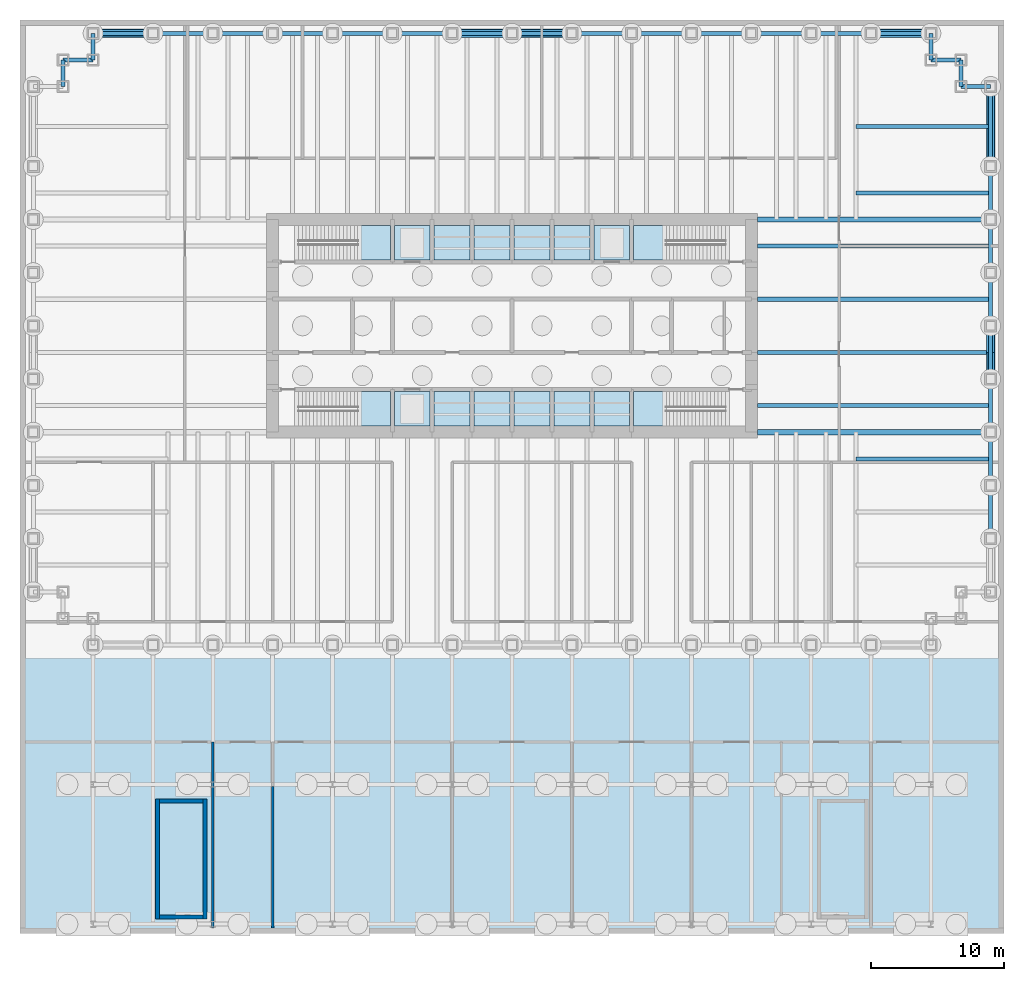
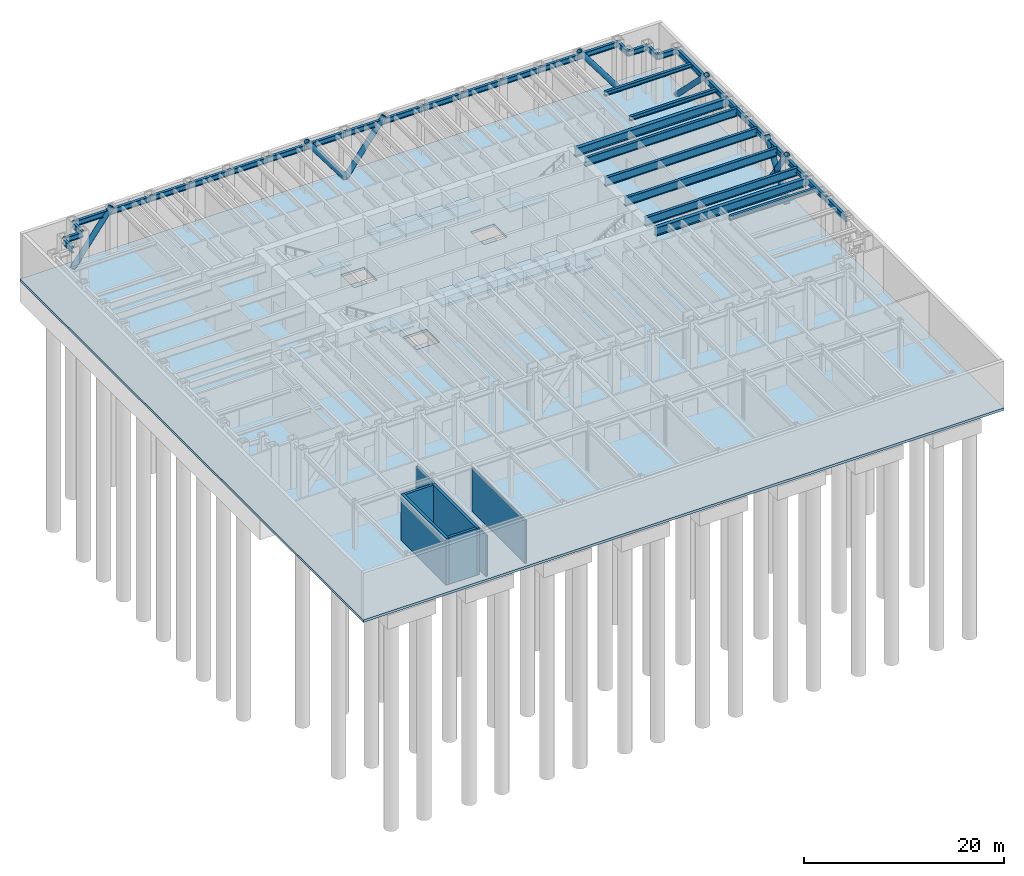
# One storey, part 3 of 9: 38 beams, 17 slabs, 7 members, 6 walls, 4 elements without a shape of their own.
"""IFC4 building model written with IfcOpenShell, lengths in metres."""

import ifcopenshell
import ifcopenshell.guid

model = None  # the IFC model being written
_history = None  # IfcOwnerHistory: only IFC2X3 demands one
_inside = {}  # id of a spatial element -> (the spatial element, [elements in it])
_under = {}  # id of a project, library or spatial element -> (it, [spatial elements below it])
_declared = {}  # id of a project -> (the project, [libraries it declares])
_typed = {}  # id of a type object -> (the type object, [elements of that type])
_made_of = {}  # id of a material, layer set ... -> (it, [elements and type objects made of it])


def new_model(schema):
    """Start an empty IFC model of exactly this schema.

    Asked for "IFC4X3", IfcOpenShell would pick the latest addendum, in which some entities
    have other attributes; the version numbers below select the first issue.
    IFC2X3 requires an IfcOwnerHistory on every rooted entity: one is made here for all.
    """
    global model, _history
    if schema == "IFC4X3":
        model = ifcopenshell.file(schema_version=(4, 3, 0, 0))
    else:
        model = ifcopenshell.file(schema=schema)
    _inside.clear()
    _under.clear()
    _declared.clear()
    _typed.clear()
    _made_of.clear()
    _history = None
    if model.schema == "IFC2X3":
        org = make("IfcOrganization", Name="unknown")
        user = make(
            "IfcPersonAndOrganization",
            ThePerson=make("IfcPerson", FamilyName="unknown"),
            TheOrganization=org,
        )
        app = make(
            "IfcApplication",
            ApplicationDeveloper=org,
            Version="unknown",
            ApplicationFullName="unknown",
            ApplicationIdentifier="unknown",
        )
        _history = make(
            "IfcOwnerHistory",
            OwningUser=user,
            OwningApplication=app,
            ChangeAction="ADDED",
            CreationDate=0,
        )
    return model


def make(cls, **values):
    """One entity of the class cls with the attributes given. An attribute that is None is left unset."""
    return model.create_entity(
        cls, **{name: value for name, value in values.items() if value is not None}
    )


def rooted(cls, **values):
    """An entity with a GlobalId (a new one), such as an element, a storey or a relation."""
    return make(cls, GlobalId=ifcopenshell.guid.new(), OwnerHistory=_history, **values)


def si_unit(unit_type, name, prefix=None):
    """IfcSIUnit, for example si_unit("LENGTHUNIT", "METRE", prefix="MILLI")."""
    return make("IfcSIUnit", UnitType=unit_type, Prefix=prefix, Name=name)


def assignment(units):
    """IfcUnitAssignment: the units of a project."""
    return None if units is None else make("IfcUnitAssignment", Units=units)


def point(xyz):
    """IfcCartesianPoint."""
    return None if xyz is None else make("IfcCartesianPoint", Coordinates=xyz)


def direction(xyz):
    """IfcDirection."""
    return None if xyz is None else make("IfcDirection", DirectionRatios=xyz)


def frame(location, z_axis=None, x_axis=None):
    """IfcAxis2Placement3D, a coordinate frame: its origin and axes. An axis left out is left unset."""
    return make(
        "IfcAxis2Placement3D",
        Location=point(location),
        Axis=direction(z_axis),
        RefDirection=direction(x_axis),
    )


def frame_2d(location, x_axis=None):
    """IfcAxis2Placement2D, a coordinate frame in the plane: its origin and x axis."""
    return make(
        "IfcAxis2Placement2D", Location=point(location), RefDirection=direction(x_axis)
    )


def origin():
    """The frame at (0, 0, 0) with its axes left unset."""
    return frame((0.0, 0.0, 0.0))


def origin_2d():
    """The frame at (0, 0) in the plane with its x axis left unset."""
    return frame_2d((0.0, 0.0))


def place(relative_to, where):
    """IfcLocalPlacement: puts the frame where relative to a parent placement (None: the world)."""
    return make(
        "IfcLocalPlacement", PlacementRelTo=relative_to, RelativePlacement=where
    )


def context(
    kind, dimensions, precision=None, world=None, true_north=None, identifier=None
):
    """IfcGeometricRepresentationContext, for example the 3D "Model" context."""
    return make(
        "IfcGeometricRepresentationContext",
        ContextIdentifier=identifier,
        ContextType=kind,
        CoordinateSpaceDimension=dimensions,
        Precision=precision,
        WorldCoordinateSystem=world,
        TrueNorth=true_north,
    )


def subcontext(parent, identifier, kind, view, scale=None):
    """IfcGeometricRepresentationSubContext, for example "Body" below "Model"."""
    return make(
        "IfcGeometricRepresentationSubContext",
        ContextIdentifier=identifier,
        ContextType=kind,
        ParentContext=parent,
        TargetScale=scale,
        TargetView=view,
    )


def project(units=None, contexts=None):
    """IfcProject with its units and contexts."""
    return rooted(
        "IfcProject",
        Name="project",
        RepresentationContexts=contexts,
        UnitsInContext=assignment(units),
    )


def spatial(cls, under=None, at=None, **own):
    """A site, building, storey or space (cls), placed at a placement, below another one or the project."""
    s = rooted(cls, ObjectPlacement=at, **own)
    if under is not None:
        _under.setdefault(under.id(), (under, []))[1].append(s)
    return s


def polyline(points):
    """IfcPolyline through the points."""
    return make("IfcPolyline", Points=[point(p) for p in points])


def profile(cls, at=None, kind="AREA", **sizes):
    """A parametric profile (cls). Its sizes go by their IFC names, for example OverallWidth=200.0."""
    return make(cls, ProfileType=kind, Position=at, **sizes)


def rectangle(**sizes):
    """IfcRectangleProfileDef."""
    return profile("IfcRectangleProfileDef", **sizes)


def hollow_circle(**sizes):
    """IfcCircleHollowProfileDef."""
    return profile("IfcCircleHollowProfileDef", **sizes)


def i_section(**sizes):
    """IfcIShapeProfileDef."""
    return profile("IfcIShapeProfileDef", **sizes)


def outline(outer, holes=None, kind="AREA"):
    """IfcArbitraryClosedProfileDef: a profile drawn as a closed curve; with holes, ...WithVoids."""
    if holes is None:
        return make("IfcArbitraryClosedProfileDef", ProfileType=kind, OuterCurve=outer)
    return make(
        "IfcArbitraryProfileDefWithVoids",
        ProfileType=kind,
        OuterCurve=outer,
        InnerCurves=holes,
    )


def extrude(swept, where, along, depth):
    """IfcExtrudedAreaSolid: the profile swept, set in the frame where, extruded along a direction by depth."""
    return make(
        "IfcExtrudedAreaSolid",
        SweptArea=swept,
        Position=where,
        ExtrudedDirection=direction(along),
        Depth=depth,
    )


def shape(context_of_items, identifier, shape_type, items):
    """IfcShapeRepresentation: the items that make up one representation, for example the "Body"."""
    return make(
        "IfcShapeRepresentation",
        ContextOfItems=context_of_items,
        RepresentationIdentifier=identifier,
        RepresentationType=shape_type,
        Items=items,
    )


def material(Name=None, Category=None):
    """IfcMaterial."""
    return make("IfcMaterial", Name=Name, Category=Category)


def layer(
    of_material, thickness, ventilated=None, Name=None, Category=None, Priority=None
):
    """IfcMaterialLayer: one layer of a wall or slab, of a material (None: an air gap)."""
    return make(
        "IfcMaterialLayer",
        Material=of_material,
        LayerThickness=thickness,
        IsVentilated=ventilated,
        Name=Name,
        Category=Category,
        Priority=Priority,
    )


def layer_set(layers, Name=None):
    """IfcMaterialLayerSet."""
    return make("IfcMaterialLayerSet", MaterialLayers=layers, LayerSetName=Name)


def material_profile(
    of_material, cross_section, Name=None, Category=None, Priority=None
):
    """IfcMaterialProfile: a cross section and its material."""
    return make(
        "IfcMaterialProfile",
        Name=Name,
        Material=of_material,
        Profile=cross_section,
        Priority=Priority,
        Category=Category,
    )


def profile_set(profiles, Name=None, composite=None):
    """IfcMaterialProfileSet."""
    return make(
        "IfcMaterialProfileSet",
        Name=Name,
        MaterialProfiles=profiles,
        CompositeProfile=composite,
    )


def made_of(thing, what):
    """Note that an element or type object is made of a material, layer set ...; save() writes the relation."""
    if what is not None:
        _made_of.setdefault(what.id(), (what, []))[1].append(thing)
    return thing


def type_object(cls, material=None, **own):
    """A type object (cls), such as IfcWallType, which elements share."""
    return made_of(rooted(cls, **own), material)


def element(
    cls,
    number,
    at=None,
    inside=None,
    cuts=None,
    type_object=None,
    material=None,
    context=None,
    identifier="Body",
    shape_type=None,
    held_by="IfcProductDefinitionShape",
    body=None,
    shapes=None,
    **own,
):
    """One element of the class cls, such as IfcWall. Its Tag is "e" and its number.

    at: its placement. inside: the storey or other place that contains it. cuts: it is an
    opening in that element (IfcRelVoidsElement). A single representation is given by context,
    identifier, shape_type and body (its items); several are given by shapes. held_by: the class
    of the entity that holds the representations. save() writes the other relations.
    """
    e = rooted(cls, Tag="e%d" % number, ObjectPlacement=at, **own)
    if body is not None:
        shapes = [shape(context, identifier, shape_type, body)]
    if shapes is not None:
        e.Representation = make(held_by, Representations=shapes)
    if inside is not None:
        _inside.setdefault(inside.id(), (inside, []))[1].append(e)
    if cuts is not None:
        rooted(
            "IfcRelVoidsElement", RelatingBuildingElement=cuts, RelatedOpeningElement=e
        )
    if type_object is not None:
        _typed.setdefault(type_object.id(), (type_object, []))[1].append(e)
    return made_of(e, material)


def aggregate(whole, parts):
    """IfcRelAggregates: a whole, such as a stair, and the parts it consists of."""
    return rooted("IfcRelAggregates", RelatingObject=whole, RelatedObjects=parts)


def save(model, path):
    """Write the relations noted so far, then the file.

    IfcRelAggregates (storeys below a building ...), IfcRelContainedInSpatialStructure (elements
    in a storey), IfcRelDefinesByType, IfcRelAssociatesMaterial and IfcRelDeclares: one each for
    every whole, place, type object, material and project.
    """
    for whole, parts in _under.values():
        aggregate(whole, parts)
    for where, things in _inside.values():
        rooted(
            "IfcRelContainedInSpatialStructure",
            RelatedElements=things,
            RelatingStructure=where,
        )
    for kind, things in _typed.values():
        rooted("IfcRelDefinesByType", RelatedObjects=things, RelatingType=kind)
    for what, things in _made_of.values():
        rooted("IfcRelAssociatesMaterial", RelatedObjects=things, RelatingMaterial=what)
    for by, libraries in _declared.values():
        rooted("IfcRelDeclares", RelatingContext=by, RelatedDefinitions=libraries)
    model.write(path)


model = new_model("IFC4")

# Units and contexts
model_context = context("Model", 3, precision=1e-05, world=origin(), true_north=direction((0.0, 1.0)))
body_context = subcontext(model_context, "Body", "Model", "MODEL_VIEW")
ifc_project = project(units=[si_unit("LENGTHUNIT", "METRE"), si_unit("AREAUNIT", "SQUARE_METRE"), si_unit("VOLUMEUNIT", "CUBIC_METRE"), si_unit("PLANEANGLEUNIT", "RADIAN"), si_unit("MASSUNIT", "GRAM", prefix="KILO")], contexts=[model_context])

# Site, building, storey
site_placement = place(None, origin())
site = spatial("IfcSite", under=ifc_project, at=site_placement, CompositionType="ELEMENT")
building_placement = place(site_placement, origin())
building = spatial("IfcBuilding", under=site, at=building_placement, Name="Rheinbord Bourse Tower", CompositionType="ELEMENT")
storey_placement = place(building_placement, frame((0.0, 0.0, -6.0)))
storey = spatial("IfcBuildingStorey", under=building, at=storey_placement, Name="B1", CompositionType="ELEMENT", Elevation=-6.0)

# Beams
ifc_material_1 = material(Name="Steel S460", Category="steel")
ifc_material_profile_1 = material_profile(ifc_material_1, i_section(OverallWidth=0.302001953125, OverallDepth=1.008056640625, WebThickness=0.02099609375, FlangeThickness=0.0400390625, at=origin_2d()), Name="HEM 1000")
ifc_profile_set_1 = profile_set([ifc_material_profile_1], Name="Steel S460")
beam_type_1 = type_object("IfcBeamType", Name="END BEAM HEM 1000", PredefinedType="BEAM", material=ifc_profile_set_1)
for number, where, z_axis, x_axis, name in (
    (1, (54.449951171875, 18.0, 5.196044921875), (1.0, 0.0, 0.0), (0.0, 1.0, 0.0), "End beam east 18 L00"),
    (2, (54.449951171875, 22.0, 5.196044921875), (1.0, 0.0, 0.0), (0.0, 1.0, 0.0), "End beam east 22 L00"),
    (3, (54.449951171875, 26.0, 5.196044921875), (1.0, 0.0, 0.0), (0.0, 1.0, 0.0), "End beam east 26 L00"),
    (4, (54.449951171875, 30.0, 5.196044921875), (1.0, 0.0, 0.0), (0.0, 1.0, 0.0), "End beam east 30 L00"),
):
    element("IfcBeam", number, at=place(storey_placement, frame(where, z_axis=z_axis, x_axis=x_axis)), inside=storey, type_object=beam_type_1, Name=name, PredefinedType="BEAM", context=body_context, shape_type="SweptSolid", body=[
        extrude(i_section(OverallWidth=0.302001953125, OverallDepth=1.008056640625, WebThickness=0.02099609375, FlangeThickness=0.0400390625, at=origin_2d()), origin(), (0.0, 0.0, 1.0), 17.550048828125),
    ])
ifc_material_2 = material(Name="Steel S460", Category="steel")
ifc_material_profile_2 = material_profile(ifc_material_2, i_section(OverallWidth=0.404052734375, OverallDepth=1.02001953125, WebThickness=0.025390625, FlangeThickness=0.0458984375, at=origin_2d()), Name="HL 1000 x 483")
ifc_profile_set_2 = profile_set([ifc_material_profile_2], Name="Steel S460")
beam_type_2 = type_object("IfcBeamType", Name="GIRDER HL 1000 x 483", PredefinedType="BEAM", material=ifc_profile_set_2)
for number, where, z_axis, x_axis, name in (
    (5, (54.449951171875, 16.0, 5.18994140625), (1.0, 0.0, 0.0), (0.0, 1.0, 0.0), "Girder east 16 L00"),
    (6, (54.449951171875, 32.0, 5.18994140625), (1.0, 0.0, 0.0), (0.0, 1.0, 0.0), "Girder east 32 L00"),
):
    element("IfcBeam", number, at=place(storey_placement, frame(where, z_axis=z_axis, x_axis=x_axis)), inside=storey, type_object=beam_type_2, Name=name, PredefinedType="BEAM", context=body_context, shape_type="SweptSolid", body=[
        extrude(i_section(OverallWidth=0.404052734375, OverallDepth=1.02001953125, WebThickness=0.025390625, FlangeThickness=0.0458984375, at=origin_2d()), origin(), (0.0, 0.0, 1.0), 17.550048828125),
    ])

# Members
ifc_material_3 = material(Name="Steel S460", Category="steel")
ifc_material_profile_3 = material_profile(ifc_material_3, hollow_circle(Radius=0.304931640625, WallThickness=0.050048828125, at=origin_2d()), Name="CHS 610x50")
ifc_profile_set_3 = profile_set([ifc_material_profile_3], Name="Steel S460")
member_type = type_object("IfcMemberType", Name="MEGABRACE CHS 610x50", PredefinedType="BRACE", material=ifc_profile_set_3)
member_placement = place(storey_placement, frame((72.0, 42.0, 0.0), z_axis=(0.0, -0.707106781187, 0.707106781187), x_axis=(1.0, 0.0, 0.0)))
element("IfcMember", 7, at=member_placement, inside=storey, type_object=member_type, Name="Megabrace E face line b B1", PredefinedType="BRACE", context=body_context, shape_type="SweptSolid", body=[
    extrude(hollow_circle(Radius=0.304931640625, WallThickness=0.050048828125, at=origin_2d()), origin(), (0.0, 0.0, 1.0), 8.4853515625),
])
for number, where, z_axis, x_axis, name in (
    (8, (72.0, 20.0, 0.0), (0.0, 0.554700196225, 0.832050294338), (-1.0, 0.0, 0.0), "Megabrace E face line c B1"),
    (9, (72.0, 24.0, 0.0), (0.0, -0.554700196225, 0.832050294338), (1.0, 0.0, 0.0), "Megabrace E face line d B1"),
):
    element("IfcMember", number, at=place(storey_placement, frame(where, z_axis=z_axis, x_axis=x_axis)), inside=storey, type_object=member_type, Name=name, PredefinedType="BRACE", context=body_context, shape_type="SweptSolid", body=[
        extrude(hollow_circle(Radius=0.304931640625, WallThickness=0.050048828125, at=origin_2d()), origin(), (0.0, 0.0, 1.0), 7.211181640625),
    ])
for number, where, z_axis, x_axis, name in (
    (10, (4.5, 46.0, 0.0), (0.6, 0.0, 0.8), (0.0, 1.0, 0.0), "Megabrace N face line a B1"),
    (11, (67.5, 46.0, 0.0), (-0.6, 0.0, 0.8), (0.0, -1.0, 0.0), "Megabrace N face line b B1"),
    (12, (36.0, 46.0, 0.0), (0.6, 0.0, 0.8), (0.0, 1.0, 0.0), "Megabrace N face line c B1"),
    (13, (36.0, 46.0, 0.0), (-0.6, 0.0, 0.8), (0.0, -1.0, 0.0), "Megabrace N face line d B1"),
):
    element("IfcMember", number, at=place(storey_placement, frame(where, z_axis=z_axis, x_axis=x_axis)), inside=storey, type_object=member_type, Name=name, PredefinedType="BRACE", context=body_context, shape_type="SweptSolid", body=[
        extrude(hollow_circle(Radius=0.304931640625, WallThickness=0.050048828125, at=origin_2d()), origin(), (0.0, 0.0, 1.0), 7.5),
    ])

# Beams
ifc_material_4 = material(Name="Steel S460", Category="steel")
ifc_material_profile_4 = material_profile(ifc_material_4, i_section(OverallWidth=0.304931640625, OverallDepth=0.66796875, WebThickness=0.02099609375, FlangeThickness=0.0400390625, at=origin_2d()), Name="HEM 650")
ifc_profile_set_4 = profile_set([ifc_material_profile_4], Name="Steel S460")
beam_type_3 = type_object("IfcBeamType", Name="SPANDREL HEM 650", PredefinedType="SPANDREL", material=ifc_profile_set_4)
for number, where, z_axis, x_axis, name in (
    (14, (72.0, 8.0, 5.365966796875), (0.0, 1.0, 0.0), (-1.0, 0.0, 0.0), "Spandrel E-8-E-12 under L00"),
    (15, (72.0, 12.0, 5.365966796875), (0.0, 1.0, 0.0), (-1.0, 0.0, 0.0), "Spandrel E-12-E-16 under L00"),
    (16, (72.0, 16.0, 5.365966796875), (0.0, 1.0, 0.0), (-1.0, 0.0, 0.0), "Spandrel E-16-E-20 under L00"),
    (17, (72.0, 20.0, 5.365966796875), (0.0, 1.0, 0.0), (-1.0, 0.0, 0.0), "Spandrel E-20-E-24 under L00"),
    (18, (72.0, 24.0, 5.365966796875), (0.0, 1.0, 0.0), (-1.0, 0.0, 0.0), "Spandrel E-24-E-28 under L00"),
    (19, (72.0, 28.0, 5.365966796875), (0.0, 1.0, 0.0), (-1.0, 0.0, 0.0), "Spandrel E-28-E-32 under L00"),
    (20, (72.0, 32.0, 5.365966796875), (0.0, 1.0, 0.0), (-1.0, 0.0, 0.0), "Spandrel E-32-E-36 under L00"),
):
    element("IfcBeam", number, at=place(storey_placement, frame(where, z_axis=z_axis, x_axis=x_axis)), inside=storey, type_object=beam_type_3, Name=name, PredefinedType="SPANDREL", context=body_context, shape_type="SweptSolid", body=[
        extrude(i_section(OverallWidth=0.304931640625, OverallDepth=0.66796875, WebThickness=0.02099609375, FlangeThickness=0.0400390625, at=origin_2d()), origin(), (0.0, 0.0, 1.0), 4.0),
    ])
beam_1_placement = place(storey_placement, frame((72.0, 36.0, 5.365966796875), z_axis=(0.0, 1.0, 0.0), x_axis=(-1.0, 0.0, 0.0)))
element("IfcBeam", 21, at=beam_1_placement, inside=storey, type_object=beam_type_3, Name="Spandrel E-36-NE-A under L00", PredefinedType="SPANDREL", context=body_context, shape_type="SweptSolid", body=[
    extrude(i_section(OverallWidth=0.304931640625, OverallDepth=0.66796875, WebThickness=0.02099609375, FlangeThickness=0.0400390625, at=origin_2d()), origin(), (0.0, 0.0, 1.0), 6.0),
])
beam_2_placement = place(storey_placement, frame((72.0, 42.0, 5.365966796875), z_axis=(-1.0, 0.0, 0.0), x_axis=(0.0, -1.0, 0.0)))
element("IfcBeam", 22, at=beam_2_placement, inside=storey, type_object=beam_type_3, Name="Spandrel NE-A-NE-B under L00", PredefinedType="SPANDREL", context=body_context, shape_type="SweptSolid", body=[
    extrude(i_section(OverallWidth=0.304931640625, OverallDepth=0.66796875, WebThickness=0.02099609375, FlangeThickness=0.0400390625, at=origin_2d()), origin(), (0.0, 0.0, 1.0), 2.25),
])
beam_3_placement = place(storey_placement, frame((69.75, 42.0, 5.365966796875), z_axis=(0.0, 1.0, 0.0), x_axis=(-1.0, 0.0, 0.0)))
element("IfcBeam", 23, at=beam_3_placement, inside=storey, type_object=beam_type_3, Name="Spandrel NE-B-NE-C under L00", PredefinedType="SPANDREL", context=body_context, shape_type="SweptSolid", body=[
    extrude(i_section(OverallWidth=0.304931640625, OverallDepth=0.66796875, WebThickness=0.02099609375, FlangeThickness=0.0400390625, at=origin_2d()), origin(), (0.0, 0.0, 1.0), 2.0),
])
beam_4_placement = place(storey_placement, frame((69.75, 44.0, 5.365966796875), z_axis=(-1.0, 0.0, 0.0), x_axis=(0.0, -1.0, 0.0)))
element("IfcBeam", 24, at=beam_4_placement, inside=storey, type_object=beam_type_3, Name="Spandrel NE-C-NE-D under L00", PredefinedType="SPANDREL", context=body_context, shape_type="SweptSolid", body=[
    extrude(i_section(OverallWidth=0.304931640625, OverallDepth=0.66796875, WebThickness=0.02099609375, FlangeThickness=0.0400390625, at=origin_2d()), origin(), (0.0, 0.0, 1.0), 2.25),
])
beam_5_placement = place(storey_placement, frame((67.5, 44.0, 5.365966796875), z_axis=(0.0, 1.0, 0.0), x_axis=(-1.0, 0.0, 0.0)))
element("IfcBeam", 25, at=beam_5_placement, inside=storey, type_object=beam_type_3, Name="Spandrel NE-D-NE-E under L00", PredefinedType="SPANDREL", context=body_context, shape_type="SweptSolid", body=[
    extrude(i_section(OverallWidth=0.304931640625, OverallDepth=0.66796875, WebThickness=0.02099609375, FlangeThickness=0.0400390625, at=origin_2d()), origin(), (0.0, 0.0, 1.0), 2.0),
])
for number, where, z_axis, x_axis, name in (
    (26, (67.5, 46.0, 5.365966796875), (-1.0, 0.0, 0.0), (0.0, -1.0, 0.0), "Spandrel NE-E-N-63 under L00"),
    (27, (63.0, 46.0, 5.365966796875), (-1.0, 0.0, 0.0), (0.0, -1.0, 0.0), "Spandrel N-63-N-58.5 under L00"),
    (28, (58.5, 46.0, 5.365966796875), (-1.0, 0.0, 0.0), (0.0, -1.0, 0.0), "Spandrel N-58.5-N-54 under L00"),
    (29, (54.0, 46.0, 5.365966796875), (-1.0, 0.0, 0.0), (0.0, -1.0, 0.0), "Spandrel N-54-N-49.5 under L00"),
    (30, (49.5, 46.0, 5.365966796875), (-1.0, 0.0, 0.0), (0.0, -1.0, 0.0), "Spandrel N-49.5-N-45 under L00"),
    (31, (45.0, 46.0, 5.365966796875), (-1.0, 0.0, 0.0), (0.0, -1.0, 0.0), "Spandrel N-45-N-40.5 under L00"),
    (32, (40.5, 46.0, 5.365966796875), (-1.0, 0.0, 0.0), (0.0, -1.0, 0.0), "Spandrel N-40.5-N-36 under L00"),
    (33, (36.0, 46.0, 5.365966796875), (-1.0, 0.0, 0.0), (0.0, -1.0, 0.0), "Spandrel N-36-N-31.5 under L00"),
    (34, (31.5, 46.0, 5.365966796875), (-1.0, 0.0, 0.0), (0.0, -1.0, 0.0), "Spandrel N-31.5-N-27 under L00"),
    (35, (27.0, 46.0, 5.365966796875), (-1.0, 0.0, 0.0), (0.0, -1.0, 0.0), "Spandrel N-27-N-22.5 under L00"),
    (36, (22.5, 46.0, 5.365966796875), (-1.0, 0.0, 0.0), (0.0, -1.0, 0.0), "Spandrel N-22.5-N-18 under L00"),
    (37, (18.0, 46.0, 5.365966796875), (-1.0, 0.0, 0.0), (0.0, -1.0, 0.0), "Spandrel N-18-N-13.5 under L00"),
    (38, (13.5, 46.0, 5.365966796875), (-1.0, 0.0, 0.0), (0.0, -1.0, 0.0), "Spandrel N-13.5-N-9 under L00"),
    (39, (9.0, 46.0, 5.365966796875), (-1.0, 0.0, 0.0), (0.0, -1.0, 0.0), "Spandrel N-9-NW-E under L00"),
):
    element("IfcBeam", number, at=place(storey_placement, frame(where, z_axis=z_axis, x_axis=x_axis)), inside=storey, type_object=beam_type_3, Name=name, PredefinedType="SPANDREL", context=body_context, shape_type="SweptSolid", body=[
        extrude(i_section(OverallWidth=0.304931640625, OverallDepth=0.66796875, WebThickness=0.02099609375, FlangeThickness=0.0400390625, at=origin_2d()), origin(), (0.0, 0.0, 1.0), 4.5),
    ])
beam_6_placement = place(storey_placement, frame((4.5, 46.0, 5.365966796875), z_axis=(0.0, -1.0, 0.0), x_axis=(1.0, 0.0, 0.0)))
element("IfcBeam", 40, at=beam_6_placement, inside=storey, type_object=beam_type_3, Name="Spandrel NW-E-NW-D under L00", PredefinedType="SPANDREL", context=body_context, shape_type="SweptSolid", body=[
    extrude(i_section(OverallWidth=0.304931640625, OverallDepth=0.66796875, WebThickness=0.02099609375, FlangeThickness=0.0400390625, at=origin_2d()), origin(), (0.0, 0.0, 1.0), 2.0),
])
beam_7_placement = place(storey_placement, frame((4.5, 44.0, 5.365966796875), z_axis=(-1.0, 0.0, 0.0), x_axis=(0.0, -1.0, 0.0)))
element("IfcBeam", 41, at=beam_7_placement, inside=storey, type_object=beam_type_3, Name="Spandrel NW-D-NW-C under L00", PredefinedType="SPANDREL", context=body_context, shape_type="SweptSolid", body=[
    extrude(i_section(OverallWidth=0.304931640625, OverallDepth=0.66796875, WebThickness=0.02099609375, FlangeThickness=0.0400390625, at=origin_2d()), origin(), (0.0, 0.0, 1.0), 2.25),
])
beam_8_placement = place(storey_placement, frame((2.25, 44.0, 5.365966796875), z_axis=(0.0, -1.0, 0.0), x_axis=(1.0, 0.0, 0.0)))
element("IfcBeam", 42, at=beam_8_placement, inside=storey, type_object=beam_type_3, Name="Spandrel NW-C-NW-B under L00", PredefinedType="SPANDREL", context=body_context, shape_type="SweptSolid", body=[
    extrude(i_section(OverallWidth=0.304931640625, OverallDepth=0.66796875, WebThickness=0.02099609375, FlangeThickness=0.0400390625, at=origin_2d()), origin(), (0.0, 0.0, 1.0), 2.0),
])
ifc_material_5 = material(Name="Steel S460", Category="steel")
ifc_material_profile_5 = material_profile(ifc_material_5, i_section(OverallWidth=0.300048828125, OverallDepth=0.5, WebThickness=0.014404296875, FlangeThickness=0.028076171875, at=origin_2d()), Name="HEB 500")
ifc_profile_set_5 = profile_set([ifc_material_profile_5], Name="Steel S460")
beam_type_4 = type_object("IfcBeamType", Name="TIE BEAM HEB 500", PredefinedType="JOIST", material=ifc_profile_set_5)
for number, where, z_axis, x_axis, name in (
    (43, (61.875, 14.0, 5.449951171875), (1.0, 0.0, 0.0), (0.0, 1.0, 0.0), "Tie east 14 L00"),
    (44, (61.875, 34.0, 5.449951171875), (1.0, 0.0, 0.0), (0.0, 1.0, 0.0), "Tie east 34 L00"),
    (45, (61.875, 39.0, 5.449951171875), (1.0, 0.0, 0.0), (0.0, 1.0, 0.0), "Tie east 39 L00"),
):
    element("IfcBeam", number, at=place(storey_placement, frame(where, z_axis=z_axis, x_axis=x_axis)), inside=storey, type_object=beam_type_4, Name=name, PredefinedType="JOIST", context=body_context, shape_type="SweptSolid", body=[
        extrude(i_section(OverallWidth=0.300048828125, OverallDepth=0.5, WebThickness=0.014404296875, FlangeThickness=0.028076171875, at=origin_2d()), origin(), (0.0, 0.0, 1.0), 10.125),
    ])

# Slabs
ifc_material_6 = material(Name="Concrete C35/45", Category="concrete")
ifc_layer_1 = layer(ifc_material_6, 0.300048828125)
ifc_layer_set_1 = layer_set([ifc_layer_1], Name="BASE SLAB 300")
slab_type_1 = type_object("IfcSlabType", Name="BASE SLAB 300", PredefinedType="BASESLAB", material=ifc_layer_set_1)
slab_1_placement = place(storey_placement, frame((0.0, 0.0, -0.300048828125)))
element("IfcSlab", 46, at=slab_1_placement, inside=storey, type_object=slab_type_1, Name="Base slab B1", PredefinedType="BASESLAB", context=body_context, shape_type="SweptSolid", body=[
    extrude(outline(polyline([(-1.0, -21.699951171875), (73.0, -21.699951171875), (73.0, 47.0), (-1.0, 47.0), (-1.0, -21.699951171875)]), holes=[polyline([(27.14990234375, 16.449951171875), (29.85009765625, 16.449951171875), (29.85009765625, 19.050048828125), (27.14990234375, 19.050048828125), (27.14990234375, 16.449951171875)]), polyline([(42.14990234375, 28.949951171875), (44.85009765625, 28.949951171875), (44.85009765625, 31.550048828125), (42.14990234375, 31.550048828125), (42.14990234375, 28.949951171875)]), polyline([(27.14990234375, 28.949951171875), (29.85009765625, 28.949951171875), (29.85009765625, 31.550048828125), (27.14990234375, 31.550048828125), (27.14990234375, 28.949951171875)])]), origin(), (0.0, 0.0, 1.0), 0.300048828125),
])
ifc_material_7 = material(Name="Concrete C50/60", Category="concrete")
ifc_layer_2 = layer(ifc_material_7, 0.300048828125)
ifc_layer_set_2 = layer_set([ifc_layer_2], Name="LIFT PIT SLAB 300")
slab_type_2 = type_object("IfcSlabType", Name="LIFT PIT SLAB 300", PredefinedType="USERDEFINED", material=ifc_layer_set_2)
slab_2_placement = place(storey_placement, frame((0.0, 0.0, -1.89990234375)))
element("IfcSlab", 47, at=slab_2_placement, inside=storey, type_object=slab_type_2, Name="Lift pit FL1", ObjectType="LIFT PIT SLAB", PredefinedType="USERDEFINED", context=body_context, shape_type="SweptSolid", body=[
    extrude(outline(polyline([(27.14990234375, 16.449951171875), (29.85009765625, 16.449951171875), (29.85009765625, 19.050048828125), (27.14990234375, 19.050048828125), (27.14990234375, 16.449951171875)])), origin(), (0.0, 0.0, 1.0), 0.2998046875),
])
slab_3_placement = place(storey_placement, frame((0.0, 0.0, -1.89990234375)))
element("IfcSlab", 48, at=slab_3_placement, inside=storey, type_object=slab_type_2, Name="Lift pit FL2", ObjectType="LIFT PIT SLAB", PredefinedType="USERDEFINED", context=body_context, shape_type="SweptSolid", body=[
    extrude(outline(polyline([(42.14990234375, 28.949951171875), (44.85009765625, 28.949951171875), (44.85009765625, 31.550048828125), (42.14990234375, 31.550048828125), (42.14990234375, 28.949951171875)])), origin(), (0.0, 0.0, 1.0), 0.2998046875),
])
slab_4_placement = place(storey_placement, frame((0.0, 0.0, -1.89990234375)))
element("IfcSlab", 49, at=slab_4_placement, inside=storey, type_object=slab_type_2, Name="Lift pit GL1", ObjectType="LIFT PIT SLAB", PredefinedType="USERDEFINED", context=body_context, shape_type="SweptSolid", body=[
    extrude(outline(polyline([(27.14990234375, 28.949951171875), (29.85009765625, 28.949951171875), (29.85009765625, 31.550048828125), (27.14990234375, 31.550048828125), (27.14990234375, 28.949951171875)])), origin(), (0.0, 0.0, 1.0), 0.2998046875),
])
slab_5_placement = place(storey_placement, frame((0.0, 0.0, 4.10009765625)))
element("IfcSlab", 50, at=slab_5_placement, inside=storey, type_object=slab_type_2, Name="Lift pit SL1", ObjectType="LIFT PIT SLAB", PredefinedType="USERDEFINED", context=body_context, shape_type="SweptSolid", body=[
    extrude(outline(polyline([(39.14990234375, 16.449951171875), (41.85009765625, 16.449951171875), (41.85009765625, 19.050048828125), (39.14990234375, 19.050048828125), (39.14990234375, 16.449951171875)])), origin(), (0.0, 0.0, 1.0), 0.2998046875),
])
slab_6_placement = place(storey_placement, frame((0.0, 0.0, 4.10009765625)))
element("IfcSlab", 51, at=slab_6_placement, inside=storey, type_object=slab_type_2, Name="Lift pit SL2", ObjectType="LIFT PIT SLAB", PredefinedType="USERDEFINED", context=body_context, shape_type="SweptSolid", body=[
    extrude(outline(polyline([(42.14990234375, 16.449951171875), (44.85009765625, 16.449951171875), (44.85009765625, 19.050048828125), (42.14990234375, 19.050048828125), (42.14990234375, 16.449951171875)])), origin(), (0.0, 0.0, 1.0), 0.2998046875),
])
slab_7_placement = place(storey_placement, frame((0.0, 0.0, 4.10009765625)))
element("IfcSlab", 52, at=slab_7_placement, inside=storey, type_object=slab_type_2, Name="Lift pit SL3", ObjectType="LIFT PIT SLAB", PredefinedType="USERDEFINED", context=body_context, shape_type="SweptSolid", body=[
    extrude(outline(polyline([(36.14990234375, 28.949951171875), (38.85009765625, 28.949951171875), (38.85009765625, 31.550048828125), (36.14990234375, 31.550048828125), (36.14990234375, 28.949951171875)])), origin(), (0.0, 0.0, 1.0), 0.2998046875),
])
slab_8_placement = place(storey_placement, frame((0.0, 0.0, 4.10009765625)))
element("IfcSlab", 53, at=slab_8_placement, inside=storey, type_object=slab_type_2, Name="Lift pit SL4", ObjectType="LIFT PIT SLAB", PredefinedType="USERDEFINED", context=body_context, shape_type="SweptSolid", body=[
    extrude(outline(polyline([(39.14990234375, 28.949951171875), (41.85009765625, 28.949951171875), (41.85009765625, 31.550048828125), (39.14990234375, 31.550048828125), (39.14990234375, 28.949951171875)])), origin(), (0.0, 0.0, 1.0), 0.2998046875),
])
slab_9_placement = place(storey_placement, frame((0.0, 0.0, 4.10009765625)))
element("IfcSlab", 54, at=slab_9_placement, inside=storey, type_object=slab_type_2, Name="Lift pit PA1", ObjectType="LIFT PIT SLAB", PredefinedType="USERDEFINED", context=body_context, shape_type="SweptSolid", body=[
    extrude(outline(polyline([(30.14990234375, 16.449951171875), (32.85009765625, 16.449951171875), (32.85009765625, 19.050048828125), (30.14990234375, 19.050048828125), (30.14990234375, 16.449951171875)])), origin(), (0.0, 0.0, 1.0), 0.2998046875),
])
slab_10_placement = place(storey_placement, frame((0.0, 0.0, 4.10009765625)))
element("IfcSlab", 55, at=slab_10_placement, inside=storey, type_object=slab_type_2, Name="Lift pit PA2", ObjectType="LIFT PIT SLAB", PredefinedType="USERDEFINED", context=body_context, shape_type="SweptSolid", body=[
    extrude(outline(polyline([(33.14990234375, 16.449951171875), (35.85009765625, 16.449951171875), (35.85009765625, 19.050048828125), (33.14990234375, 19.050048828125), (33.14990234375, 16.449951171875)])), origin(), (0.0, 0.0, 1.0), 0.2998046875),
])
slab_11_placement = place(storey_placement, frame((0.0, 0.0, 4.10009765625)))
element("IfcSlab", 56, at=slab_11_placement, inside=storey, type_object=slab_type_2, Name="Lift pit PA3", ObjectType="LIFT PIT SLAB", PredefinedType="USERDEFINED", context=body_context, shape_type="SweptSolid", body=[
    extrude(outline(polyline([(36.14990234375, 16.449951171875), (38.85009765625, 16.449951171875), (38.85009765625, 19.050048828125), (36.14990234375, 19.050048828125), (36.14990234375, 16.449951171875)])), origin(), (0.0, 0.0, 1.0), 0.2998046875),
])
slab_12_placement = place(storey_placement, frame((0.0, 0.0, 4.10009765625)))
element("IfcSlab", 57, at=slab_12_placement, inside=storey, type_object=slab_type_2, Name="Lift pit PA4", ObjectType="LIFT PIT SLAB", PredefinedType="USERDEFINED", context=body_context, shape_type="SweptSolid", body=[
    extrude(outline(polyline([(30.14990234375, 28.949951171875), (32.85009765625, 28.949951171875), (32.85009765625, 31.550048828125), (30.14990234375, 31.550048828125), (30.14990234375, 28.949951171875)])), origin(), (0.0, 0.0, 1.0), 0.2998046875),
])
slab_13_placement = place(storey_placement, frame((0.0, 0.0, 4.10009765625)))
element("IfcSlab", 58, at=slab_13_placement, inside=storey, type_object=slab_type_2, Name="Lift pit PA5", ObjectType="LIFT PIT SLAB", PredefinedType="USERDEFINED", context=body_context, shape_type="SweptSolid", body=[
    extrude(outline(polyline([(33.14990234375, 28.949951171875), (35.85009765625, 28.949951171875), (35.85009765625, 31.550048828125), (33.14990234375, 31.550048828125), (33.14990234375, 28.949951171875)])), origin(), (0.0, 0.0, 1.0), 0.2998046875),
])

# Stair, slab
ifc_material_8 = material(Name="Concrete C30/37", Category="concrete")
stair_type = type_object("IfcStairType", Name="CORE STAIR HALF TURN 6000", PredefinedType="HALF_TURN_STAIR", material=ifc_material_8)
stair_1_placement = place(storey_placement, origin())
stair_1 = element("IfcStair", 59, at=stair_1_placement, inside=storey, type_object=stair_type, Name="Stair ST1 B1, type CS1", PredefinedType="HALF_TURN_STAIR")
ifc_material_9 = material(Name="Concrete C30/37", Category="concrete")
ifc_layer_3 = layer(ifc_material_9, 0.199951171875)
ifc_layer_set_3 = layer_set([ifc_layer_3], Name="STAIR LANDING 200")
slab_type_3 = type_object("IfcSlabType", Name="STAIR LANDING 200", PredefinedType="LANDING", material=ifc_layer_set_3)
slab_14_placement = place(storey_placement, frame((0.0, 0.0, 2.800048828125)))
slab_14 = element("IfcSlab", 60, at=slab_14_placement, type_object=slab_type_3, Name="Half landing ST1 B1", PredefinedType="LANDING", context=body_context, shape_type="SweptSolid", body=[
    extrude(outline(polyline([(24.429931640625, 16.449951171875), (26.85009765625, 16.449951171875), (26.85009765625, 19.050048828125), (22.587890625, 19.050048828125), (22.587890625, 17.85009765625), (24.429931640625, 17.85009765625), (24.429931640625, 16.449951171875)])), origin(), (0.0, 0.0, 1.0), 0.199951171875),
])
aggregate(stair_1, [slab_14])

stair_2_placement = place(storey_placement, origin())
stair_2 = element("IfcStair", 61, at=stair_2_placement, inside=storey, type_object=stair_type, Name="Stair ST2 B1, type CS1", PredefinedType="HALF_TURN_STAIR")
slab_15_placement = place(storey_placement, frame((0.0, 0.0, 2.800048828125)))
slab_15 = element("IfcSlab", 62, at=slab_15_placement, type_object=slab_type_3, Name="Half landing ST2 B1", PredefinedType="LANDING", context=body_context, shape_type="SweptSolid", body=[
    extrude(outline(polyline([(22.587890625, 28.949951171875), (26.85009765625, 28.949951171875), (26.85009765625, 31.550048828125), (24.429931640625, 31.550048828125), (24.429931640625, 30.14990234375), (22.587890625, 30.14990234375), (22.587890625, 28.949951171875)])), origin(), (0.0, 0.0, 1.0), 0.199951171875),
])
aggregate(stair_2, [slab_15])

stair_3_placement = place(storey_placement, origin())
stair_3 = element("IfcStair", 63, at=stair_3_placement, inside=storey, type_object=stair_type, Name="Stair ST3 B1, type CS1", PredefinedType="HALF_TURN_STAIR")
slab_16_placement = place(storey_placement, frame((0.0, 0.0, 2.800048828125)))
slab_16 = element("IfcSlab", 64, at=slab_16_placement, type_object=slab_type_3, Name="Half landing ST3 B1", PredefinedType="LANDING", context=body_context, shape_type="SweptSolid", body=[
    extrude(outline(polyline([(45.14990234375, 16.449951171875), (47.570068359375, 16.449951171875), (47.570068359375, 17.85009765625), (49.412109375, 17.85009765625), (49.412109375, 19.050048828125), (45.14990234375, 19.050048828125), (45.14990234375, 16.449951171875)])), origin(), (0.0, 0.0, 1.0), 0.199951171875),
])
aggregate(stair_3, [slab_16])

stair_4_placement = place(storey_placement, origin())
stair_4 = element("IfcStair", 65, at=stair_4_placement, inside=storey, type_object=stair_type, Name="Stair ST4 B1, type CS1", PredefinedType="HALF_TURN_STAIR")
slab_17_placement = place(storey_placement, frame((0.0, 0.0, 2.800048828125)))
slab_17 = element("IfcSlab", 66, at=slab_17_placement, type_object=slab_type_3, Name="Half landing ST4 B1", PredefinedType="LANDING", context=body_context, shape_type="SweptSolid", body=[
    extrude(outline(polyline([(45.14990234375, 28.949951171875), (49.412109375, 28.949951171875), (49.412109375, 30.14990234375), (47.570068359375, 30.14990234375), (47.570068359375, 31.550048828125), (45.14990234375, 31.550048828125), (45.14990234375, 28.949951171875)])), origin(), (0.0, 0.0, 1.0), 0.199951171875),
])
aggregate(stair_4, [slab_17])

# Walls
ifc_material_10 = material(Name="Concrete block plant room wall", Category="concrete")
ifc_layer_4 = layer(ifc_material_10, 0.199951171875)
ifc_layer_set_4 = layer_set([ifc_layer_4], Name="PLANT ROOM PARTITION 200 EI90")
wall_type_1 = type_object("IfcWallType", Name="PLANT ROOM PARTITION 200 EI90", PredefinedType="PARTITIONING", material=ifc_layer_set_4)
wall_1_placement = place(storey_placement, frame((13.5, -21.2900390625, 0.0), z_axis=(0.0, 0.0, 1.0), x_axis=(0.0, 1.0, 0.0)))
element("IfcWall", 67, at=wall_1_placement, inside=storey, type_object=wall_type_1, Name="Partition B1-13", PredefinedType="PARTITIONING", context=body_context, shape_type="SweptSolid", body=[
    extrude(rectangle(XDim=13.989990234375, YDim=0.199951171875, at=frame_2d((6.9951171875, 0.0))), origin(), (0.0, 0.0, 1.0), 4.98388671875),
])
wall_2_placement = place(storey_placement, frame((18.0, -21.2900390625, 0.0), z_axis=(0.0, 0.0, 1.0), x_axis=(0.0, 1.0, 0.0)))
element("IfcWall", 68, at=wall_2_placement, inside=storey, type_object=wall_type_1, Name="Partition B1-14", PredefinedType="PARTITIONING", context=body_context, shape_type="SweptSolid", body=[
    extrude(rectangle(XDim=10.637939453125, YDim=0.199951171875, at=frame_2d((5.31884765625, 0.0))), origin(), (0.0, 0.0, 1.0), 5.199951171875),
])
ifc_material_11 = material(Name="Concrete C50/60", Category="concrete")
ifc_layer_5 = layer(ifc_material_11, 0.300048828125)
ifc_layer_set_5 = layer_set([ifc_layer_5], Name="PODIUM STAIR WALL 300")
wall_type_2 = type_object("IfcWallType", Name="PODIUM STAIR WALL 300", PredefinedType="SOLIDWALL", material=ifc_layer_set_5)
for number, where, z_axis, x_axis, name in (
    (69, (9.35009765625, -20.60009765625, 0.0), (0.0, 0.0, 1.0), (0.0, 1.0, 0.0), "Stair wall ST5 W B1"),
    (70, (12.89990234375, -20.60009765625, 0.0), (0.0, 0.0, 1.0), (0.0, 1.0, 0.0), "Stair wall ST5 E B1"),
):
    element("IfcWall", number, at=place(storey_placement, frame(where, z_axis=z_axis, x_axis=x_axis)), inside=storey, type_object=wall_type_2, Name=name, PredefinedType="SOLIDWALL", context=body_context, shape_type="SweptSolid", body=[
        extrude(rectangle(XDim=9.0, YDim=0.300048828125, at=frame_2d((4.5, 0.0))), origin(), (0.0, 0.0, 1.0), 5.699951171875),
    ])
for number, where, z_axis, x_axis, name in (
    (71, (9.5, -20.449951171875, 0.0), (0.0, 0.0, 1.0), (1.0, 0.0, 0.0), "Stair wall ST5 S B1"),
    (72, (9.5, -11.75, 0.0), (0.0, 0.0, 1.0), (1.0, 0.0, 0.0), "Stair wall ST5 N B1"),
):
    element("IfcWall", number, at=place(storey_placement, frame(where, z_axis=z_axis, x_axis=x_axis)), inside=storey, type_object=wall_type_2, Name=name, PredefinedType="SOLIDWALL", context=body_context, shape_type="SweptSolid", body=[
        extrude(rectangle(XDim=3.25, YDim=0.300048828125, at=frame_2d((1.625, 0.0))), origin(), (0.0, 0.0, 1.0), 5.699951171875),
    ])

save(model, "model.ifc")
